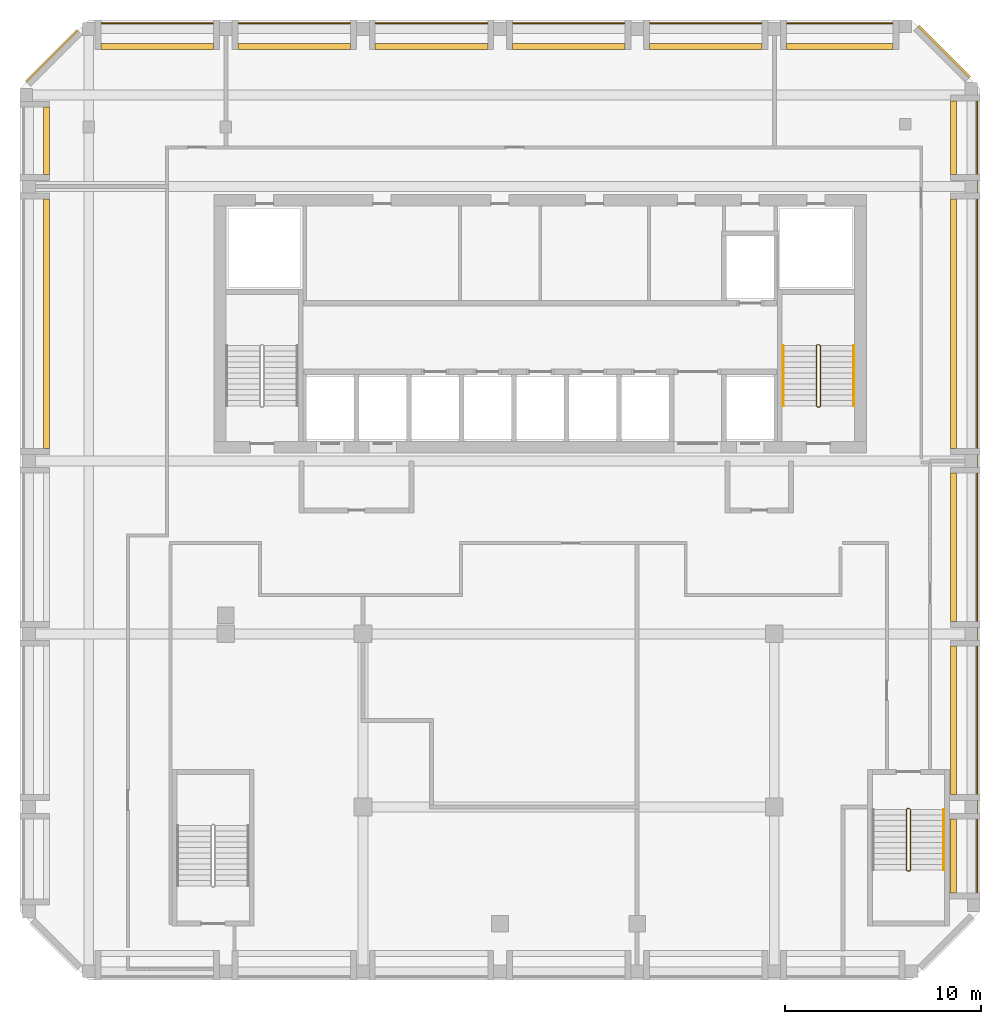
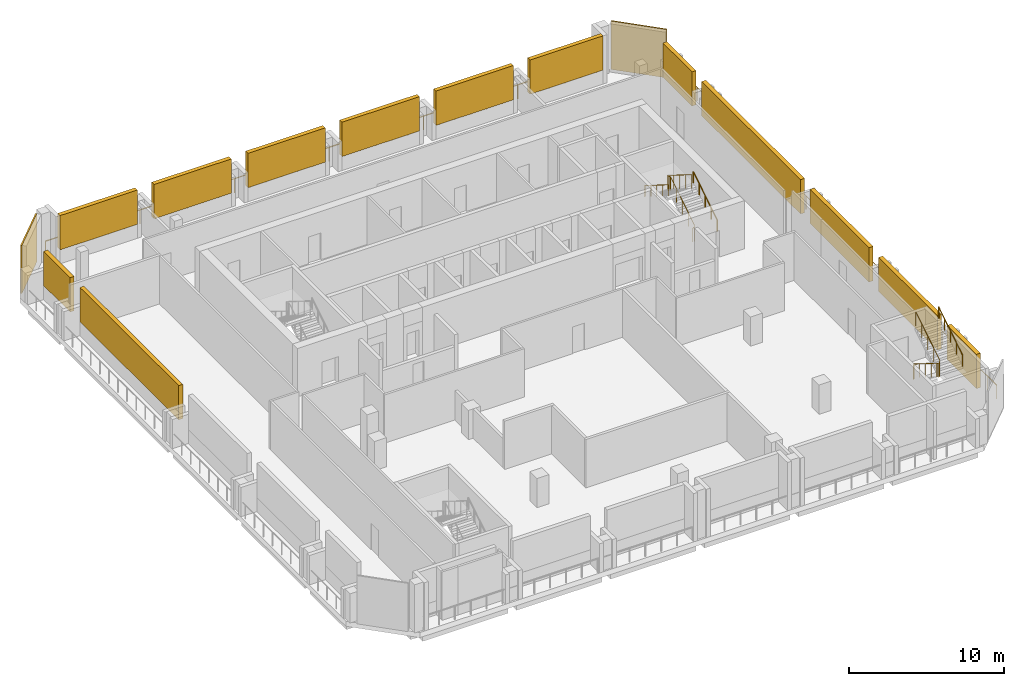
# One storey, part 7 of 7: 15 shading devices, 7 railings.
"""IFC4 building model written with IfcOpenShell, lengths in metres."""

from ifc_helpers import new_model, si_unit, direction, frame, origin, origin_2d, place, context, subcontext, project, spatial, rectangle, circle, extrude, source, transform, mapped, material, layer, layer_set, type_object, element, save


model = new_model("IFC4")

# Units and contexts
model_context = context("Model", 3, precision=1e-05, world=origin(), true_north=direction((0.0, 1.0)))
body_context = subcontext(model_context, "Body", "Model", "MODEL_VIEW")
ifc_project = project(units=[si_unit("LENGTHUNIT", "METRE"), si_unit("AREAUNIT", "SQUARE_METRE"), si_unit("VOLUMEUNIT", "CUBIC_METRE"), si_unit("PLANEANGLEUNIT", "RADIAN"), si_unit("MASSUNIT", "GRAM", prefix="KILO")], contexts=[model_context])

# Site, building, storey
site_placement = place(None, origin())
site = spatial("IfcSite", under=ifc_project, at=site_placement, CompositionType="ELEMENT")
building_placement = place(site_placement, origin())
building = spatial("IfcBuilding", under=site, at=building_placement, Name="Kilnfold Tower and Market Hall", CompositionType="ELEMENT")
storey_placement = place(building_placement, frame((0.0, 0.0, 290.800048828125)))
storey = spatial("IfcBuildingStorey", under=building, at=storey_placement, Name="L72 Plant Transfer Level", CompositionType="ELEMENT", Elevation=290.800048828125)

# Railings
ifc_material_1 = material(Name="Stainless steel 316", Category="steel")
railing_type_1 = type_object("IfcRailingType", Name="CORE STAIR GUARD 1100", PredefinedType="GUARDRAIL", material=ifc_material_1)
railing_1_placement = place(storey_placement, frame((15.199951171875, 10.75, 0.0)))
element("IfcRailing", 1, at=railing_1_placement, inside=storey, type_object=railing_type_1, Name="L72 Plant Transfer Level ST2 stair guard 1", PredefinedType="GUARDRAIL", context=body_context, shape_type="SweptSolid", body=[
    extrude(circle(Radius=0.02392578125, at=origin_2d()), frame((0.0, 0.0, 1.076171875), z_axis=(1.0, 0.0, 0.0), x_axis=(0.0, 1.0, 0.0)), (0.0, 0.0, 1.0), 0.10009765625),
    extrude(circle(Radius=0.02392578125, at=origin_2d()), frame((0.10009765625, 0.0, 1.076171875), z_axis=(0.265065253269, 0.265065253269, 0.927081885822), x_axis=(-0.707106781187, 0.707106781187, 0.0)), (0.0, 0.0, 1.0), 0.188720703125),
    extrude(circle(Radius=0.02392578125, at=origin_2d()), frame((0.150146484375, 0.050048828125, 1.2509765625), z_axis=(0.0, 0.848009633417, 0.529980812513), x_axis=(-1.0, 0.0, 0.0)), (0.0, 0.0, 1.0), 3.6318359375),
    extrude(circle(Radius=0.02392578125, at=origin_2d()), frame((0.150146484375, 3.1298828125, 3.17578125), z_axis=(-0.707106781187, 0.707106781187, 0.0), x_axis=(-0.707106781187, -0.707106781187, 0.0)), (0.0, 0.0, 1.0), 0.07080078125),
    extrude(circle(Radius=0.02392578125, at=origin_2d()), frame((0.10009765625, 3.179931640625, 3.17578125), z_axis=(-1.0, 0.0, 0.0), x_axis=(0.0, -1.0, 0.0)), (0.0, 0.0, 1.0), 0.10009765625),
    extrude(circle(Radius=0.02392578125, at=origin_2d()), frame((0.0, 3.179931640625, 3.17578125), z_axis=(-0.265065253269, -0.265065253269, 0.927081885822), x_axis=(0.707106781187, -0.707106781187, 0.0)), (0.0, 0.0, 1.0), 0.188720703125),
    extrude(circle(Radius=0.02392578125, at=origin_2d()), frame((-0.050048828125, 3.1298828125, 3.35107421875), z_axis=(0.0, -0.847979421464, 0.530029150871), x_axis=(1.0, 0.0, 0.0)), (0.0, 0.0, 1.0), 3.632080078125),
    extrude(circle(Radius=0.02099609375, at=origin_2d()), origin(), (0.0, 0.0, 1.0), 1.052001953125),
    extrude(circle(Radius=0.02099609375, at=origin_2d()), frame((0.10009765625, 0.0, 0.0)), (0.0, 0.0, 1.0), 1.052001953125),
    extrude(circle(Radius=0.02099609375, at=origin_2d()), frame((0.150146484375, 0.050048828125, 0.175048828125)), (0.0, 0.0, 1.0), 1.052001953125),
    extrude(circle(Radius=0.02099609375, at=origin_2d()), frame((0.150146484375, 0.820068359375, 0.65625)), (0.0, 0.0, 1.0), 1.052001953125),
    extrude(circle(Radius=0.02099609375, at=origin_2d()), frame((0.150146484375, 1.58984375, 1.137451171875)), (0.0, 0.0, 1.0), 1.052001953125),
    extrude(circle(Radius=0.02099609375, at=origin_2d()), frame((0.150146484375, 2.35986328125, 1.61865234375)), (0.0, 0.0, 1.0), 1.052001953125),
    extrude(circle(Radius=0.02099609375, at=origin_2d()), frame((0.150146484375, 3.1298828125, 2.099853515625)), (0.0, 0.0, 1.0), 1.052001953125),
    extrude(circle(Radius=0.02099609375, at=origin_2d()), frame((0.10009765625, 3.179931640625, 2.099853515625)), (0.0, 0.0, 1.0), 1.052001953125),
    extrude(circle(Radius=0.02099609375, at=origin_2d()), frame((0.0, 3.179931640625, 2.099853515625)), (0.0, 0.0, 1.0), 1.052001953125),
    extrude(circle(Radius=0.02099609375, at=origin_2d()), frame((-0.050048828125, 3.1298828125, 2.27490234375)), (0.0, 0.0, 1.0), 1.052001953125),
    extrude(circle(Radius=0.02099609375, at=origin_2d()), frame((-0.050048828125, 2.35986328125, 2.756103515625)), (0.0, 0.0, 1.0), 1.052001953125),
    extrude(circle(Radius=0.02099609375, at=origin_2d()), frame((-0.050048828125, 1.58984375, 3.2373046875)), (0.0, 0.0, 1.0), 1.052001953125),
    extrude(circle(Radius=0.02099609375, at=origin_2d()), frame((-0.050048828125, 0.820068359375, 3.71875)), (0.0, 0.0, 1.0), 1.052001953125),
    extrude(circle(Radius=0.02099609375, at=origin_2d()), frame((-0.050048828125, 0.050048828125, 4.199951171875)), (0.0, 0.0, 1.0), 1.052001953125),
])
railing_2_placement = place(storey_placement, frame((19.89990234375, -9.75, 0.0)))
element("IfcRailing", 2, at=railing_2_placement, inside=storey, type_object=railing_type_1, Name="L72 Plant Transfer Level ST4 stair guard 1", PredefinedType="GUARDRAIL", context=body_context, shape_type="SweptSolid", body=[
    extrude(circle(Radius=0.02392578125, at=origin_2d()), frame((0.0, 0.0, 1.076171875), z_axis=(-1.0, 0.0, 0.0), x_axis=(0.0, -1.0, 0.0)), (0.0, 0.0, 1.0), 0.099853515625),
    extrude(circle(Radius=0.02392578125, at=origin_2d()), frame((-0.099853515625, 0.0, 1.076171875), z_axis=(-0.265065253269, -0.265065253269, 0.927081885822), x_axis=(0.707106781187, -0.707106781187, 0.0)), (0.0, 0.0, 1.0), 0.188720703125),
    extrude(circle(Radius=0.02392578125, at=origin_2d()), frame((-0.14990234375, -0.050048828125, 1.2509765625), z_axis=(0.0, -0.848009633417, 0.529980812513), x_axis=(1.0, 0.0, 0.0)), (0.0, 0.0, 1.0), 3.6318359375),
    extrude(circle(Radius=0.02392578125, at=origin_2d()), frame((-0.14990234375, -3.1298828125, 3.17578125), z_axis=(0.707106781187, -0.707106781187, 0.0), x_axis=(0.707106781187, 0.707106781187, 0.0)), (0.0, 0.0, 1.0), 0.07080078125),
    extrude(circle(Radius=0.02392578125, at=origin_2d()), frame((-0.099853515625, -3.179931640625, 3.17578125), z_axis=(1.0, 0.0, 0.0), x_axis=(0.0, 1.0, 0.0)), (0.0, 0.0, 1.0), 0.099853515625),
    extrude(circle(Radius=0.02392578125, at=origin_2d()), frame((0.0, -3.179931640625, 3.17578125), z_axis=(0.265065253269, 0.265065253269, 0.927081885822), x_axis=(-0.707106781187, 0.707106781187, 0.0)), (0.0, 0.0, 1.0), 0.188720703125),
    extrude(circle(Radius=0.02392578125, at=origin_2d()), frame((0.050048828125, -3.1298828125, 3.35107421875), z_axis=(0.0, 0.847979421464, 0.530029150871), x_axis=(-1.0, 0.0, 0.0)), (0.0, 0.0, 1.0), 3.632080078125),
    extrude(circle(Radius=0.02099609375, at=origin_2d()), origin(), (0.0, 0.0, 1.0), 1.052001953125),
    extrude(circle(Radius=0.02099609375, at=origin_2d()), frame((-0.099853515625, 0.0, 0.0)), (0.0, 0.0, 1.0), 1.052001953125),
    extrude(circle(Radius=0.02099609375, at=origin_2d()), frame((-0.14990234375, -0.050048828125, 0.175048828125)), (0.0, 0.0, 1.0), 1.052001953125),
    extrude(circle(Radius=0.02099609375, at=origin_2d()), frame((-0.14990234375, -0.820068359375, 0.65625)), (0.0, 0.0, 1.0), 1.052001953125),
    extrude(circle(Radius=0.02099609375, at=origin_2d()), frame((-0.14990234375, -1.58984375, 1.137451171875)), (0.0, 0.0, 1.0), 1.052001953125),
    extrude(circle(Radius=0.02099609375, at=origin_2d()), frame((-0.14990234375, -2.35986328125, 1.61865234375)), (0.0, 0.0, 1.0), 1.052001953125),
    extrude(circle(Radius=0.02099609375, at=origin_2d()), frame((-0.14990234375, -3.1298828125, 2.099853515625)), (0.0, 0.0, 1.0), 1.052001953125),
    extrude(circle(Radius=0.02099609375, at=origin_2d()), frame((-0.099853515625, -3.179931640625, 2.099853515625)), (0.0, 0.0, 1.0), 1.052001953125),
    extrude(circle(Radius=0.02099609375, at=origin_2d()), frame((0.0, -3.179931640625, 2.099853515625)), (0.0, 0.0, 1.0), 1.052001953125),
    extrude(circle(Radius=0.02099609375, at=origin_2d()), frame((0.050048828125, -3.1298828125, 2.27490234375)), (0.0, 0.0, 1.0), 1.052001953125),
    extrude(circle(Radius=0.02099609375, at=origin_2d()), frame((0.050048828125, -2.35986328125, 2.756103515625)), (0.0, 0.0, 1.0), 1.052001953125),
    extrude(circle(Radius=0.02099609375, at=origin_2d()), frame((0.050048828125, -1.58984375, 3.2373046875)), (0.0, 0.0, 1.0), 1.052001953125),
    extrude(circle(Radius=0.02099609375, at=origin_2d()), frame((0.050048828125, -0.820068359375, 3.71875)), (0.0, 0.0, 1.0), 1.052001953125),
    extrude(circle(Radius=0.02099609375, at=origin_2d()), frame((0.050048828125, -0.050048828125, 4.199951171875)), (0.0, 0.0, 1.0), 1.052001953125),
])
ifc_material_2 = material(Name="Stainless steel 316", Category="steel")
railing_type_2 = type_object("IfcRailingType", Name="CORE STAIR HANDRAIL 900", PredefinedType="HANDRAIL", material=ifc_material_2)
railing_3_placement = place(storey_placement, frame((17.050048828125, 10.800048828125, 0.175048828125)))
element("IfcRailing", 3, at=railing_3_placement, inside=storey, type_object=railing_type_2, Name="L72 Plant Transfer Level ST2 stair handrail 1", PredefinedType="HANDRAIL", context=body_context, shape_type="SweptSolid", body=[
    extrude(circle(Radius=0.02392578125, at=origin_2d()), frame((0.0, 0.0, 0.8759765625), z_axis=(0.0, 0.848009633417, 0.529980812513), x_axis=(-1.0, 0.0, 0.0)), (0.0, 0.0, 1.0), 3.6318359375),
    extrude(circle(Radius=0.02099609375, at=origin_2d()), origin(), (0.0, 0.0, 1.0), 0.851806640625),
    extrude(circle(Radius=0.02099609375, at=origin_2d()), frame((0.0, 0.77001953125, 0.481201171875)), (0.0, 0.0, 1.0), 0.851806640625),
    extrude(circle(Radius=0.02099609375, at=origin_2d()), frame((0.0, 1.5400390625, 0.96240234375)), (0.0, 0.0, 1.0), 0.851806640625),
    extrude(circle(Radius=0.02099609375, at=origin_2d()), frame((0.0, 2.309814453125, 1.443603515625)), (0.0, 0.0, 1.0), 0.851806640625),
    extrude(circle(Radius=0.02099609375, at=origin_2d()), frame((0.0, 3.079833984375, 1.9248046875)), (0.0, 0.0, 1.0), 0.851806640625),
])
railing_4_placement = place(storey_placement, frame((13.449951171875, 13.8798828125, 2.27490234375)))
element("IfcRailing", 4, at=railing_4_placement, inside=storey, type_object=railing_type_2, Name="L72 Plant Transfer Level ST2 stair handrail 2", PredefinedType="HANDRAIL", context=body_context, shape_type="SweptSolid", body=[
    extrude(circle(Radius=0.02392578125, at=origin_2d()), frame((0.0, 0.0, 0.8759765625), z_axis=(0.0, -0.847979421464, 0.530029150871), x_axis=(1.0, 0.0, 0.0)), (0.0, 0.0, 1.0), 3.632080078125),
    extrude(circle(Radius=0.02099609375, at=origin_2d()), origin(), (0.0, 0.0, 1.0), 0.851806640625),
    extrude(circle(Radius=0.02099609375, at=origin_2d()), frame((0.0, -0.77001953125, 0.481201171875)), (0.0, 0.0, 1.0), 0.851806640625),
    extrude(circle(Radius=0.02099609375, at=origin_2d()), frame((0.0, -1.5400390625, 0.96240234375)), (0.0, 0.0, 1.0), 0.851806640625),
    extrude(circle(Radius=0.02099609375, at=origin_2d()), frame((0.0, -2.309814453125, 1.44384765625)), (0.0, 0.0, 1.0), 0.851806640625),
    extrude(circle(Radius=0.02099609375, at=origin_2d()), frame((0.0, -3.079833984375, 1.925048828125)), (0.0, 0.0, 1.0), 0.851806640625),
])
railing_5_placement = place(storey_placement, frame((21.64990234375, -12.8798828125, 2.27490234375)))
element("IfcRailing", 5, at=railing_5_placement, inside=storey, type_object=railing_type_2, Name="L72 Plant Transfer Level ST4 stair handrail 2", PredefinedType="HANDRAIL", context=body_context, shape_type="SweptSolid", body=[
    extrude(circle(Radius=0.02392578125, at=origin_2d()), frame((0.0, 0.0, 0.8759765625), z_axis=(0.0, 0.847979421464, 0.530029150871), x_axis=(-1.0, 0.0, 0.0)), (0.0, 0.0, 1.0), 3.632080078125),
    extrude(circle(Radius=0.02099609375, at=origin_2d()), origin(), (0.0, 0.0, 1.0), 0.851806640625),
    extrude(circle(Radius=0.02099609375, at=origin_2d()), frame((0.0, 0.77001953125, 0.481201171875)), (0.0, 0.0, 1.0), 0.851806640625),
    extrude(circle(Radius=0.02099609375, at=origin_2d()), frame((0.0, 1.5400390625, 0.96240234375)), (0.0, 0.0, 1.0), 0.851806640625),
    extrude(circle(Radius=0.02099609375, at=origin_2d()), frame((0.0, 2.309814453125, 1.44384765625)), (0.0, 0.0, 1.0), 0.851806640625),
    extrude(circle(Radius=0.02099609375, at=origin_2d()), frame((0.0, 3.079833984375, 1.925048828125)), (0.0, 0.0, 1.0), 0.851806640625),
])
ifc_material_3 = material(Name="Stainless steel and laminated glass", Category="steel")
railing_type_3 = type_object("IfcRailingType", Name="GUARD 1100", PredefinedType="GUARDRAIL", material=ifc_material_3)
railing_6_placement = place(storey_placement, frame((23.35009765625, -14.356689453125, 0.0)))
element("IfcRailing", 6, at=railing_6_placement, inside=storey, type_object=railing_type_3, Name="Guard plant edge E L72", PredefinedType="GUARDRAIL", context=body_context, shape_type="SweptSolid", body=[
    extrude(circle(Radius=0.02490234375, at=origin_2d()), frame((0.0, 0.0, 1.0751953125), z_axis=(0.0, 1.0, 0.0), x_axis=(-1.0, 0.0, 0.0)), (0.0, 0.0, 1.0), 41.03173828125),
    extrude(circle(Radius=0.02490234375, at=origin_2d()), origin(), (0.0, 0.0, 1.0), 1.050048828125),
    extrude(circle(Radius=0.02490234375, at=origin_2d()), frame((0.0, 1.17236328125, 0.0)), (0.0, 0.0, 1.0), 1.050048828125),
    extrude(circle(Radius=0.02490234375, at=origin_2d()), frame((0.0, 2.3447265625, 0.0)), (0.0, 0.0, 1.0), 1.050048828125),
    extrude(circle(Radius=0.02490234375, at=origin_2d()), frame((0.0, 3.51708984375, 0.0)), (0.0, 0.0, 1.0), 1.050048828125),
    extrude(circle(Radius=0.02490234375, at=origin_2d()), frame((0.0, 4.689453125, 0.0)), (0.0, 0.0, 1.0), 1.050048828125),
    extrude(circle(Radius=0.02490234375, at=origin_2d()), frame((0.0, 5.861572265625, 0.0)), (0.0, 0.0, 1.0), 1.050048828125),
    extrude(circle(Radius=0.02490234375, at=origin_2d()), frame((0.0, 7.033935546875, 0.0)), (0.0, 0.0, 1.0), 1.050048828125),
    extrude(circle(Radius=0.02490234375, at=origin_2d()), frame((0.0, 8.206298828125, 0.0)), (0.0, 0.0, 1.0), 1.050048828125),
    extrude(circle(Radius=0.02490234375, at=origin_2d()), frame((0.0, 9.378662109375, 0.0)), (0.0, 0.0, 1.0), 1.050048828125),
    extrude(circle(Radius=0.02490234375, at=origin_2d()), frame((0.0, 10.551025390625, 0.0)), (0.0, 0.0, 1.0), 1.050048828125),
    extrude(circle(Radius=0.02490234375, at=origin_2d()), frame((0.0, 11.723388671875, 0.0)), (0.0, 0.0, 1.0), 1.050048828125),
    extrude(circle(Radius=0.02490234375, at=origin_2d()), frame((0.0, 12.895751953125, 0.0)), (0.0, 0.0, 1.0), 1.050048828125),
    extrude(circle(Radius=0.02490234375, at=origin_2d()), frame((0.0, 14.068115234375, 0.0)), (0.0, 0.0, 1.0), 1.050048828125),
    extrude(circle(Radius=0.02490234375, at=origin_2d()), frame((0.0, 15.240478515625, 0.0)), (0.0, 0.0, 1.0), 1.050048828125),
    extrude(circle(Radius=0.02490234375, at=origin_2d()), frame((0.0, 16.41259765625, 0.0)), (0.0, 0.0, 1.0), 1.050048828125),
    extrude(circle(Radius=0.02490234375, at=origin_2d()), frame((0.0, 17.5849609375, 0.0)), (0.0, 0.0, 1.0), 1.050048828125),
    extrude(circle(Radius=0.02490234375, at=origin_2d()), frame((0.0, 18.75732421875, 0.0)), (0.0, 0.0, 1.0), 1.050048828125),
    extrude(circle(Radius=0.02490234375, at=origin_2d()), frame((0.0, 19.9296875, 0.0)), (0.0, 0.0, 1.0), 1.050048828125),
    extrude(circle(Radius=0.02490234375, at=origin_2d()), frame((0.0, 21.10205078125, 0.0)), (0.0, 0.0, 1.0), 1.050048828125),
    extrude(circle(Radius=0.02490234375, at=origin_2d()), frame((0.0, 22.2744140625, 0.0)), (0.0, 0.0, 1.0), 1.050048828125),
    extrude(circle(Radius=0.02490234375, at=origin_2d()), frame((0.0, 23.44677734375, 0.0)), (0.0, 0.0, 1.0), 1.050048828125),
    extrude(circle(Radius=0.02490234375, at=origin_2d()), frame((0.0, 24.619140625, 0.0)), (0.0, 0.0, 1.0), 1.050048828125),
    extrude(circle(Radius=0.02490234375, at=origin_2d()), frame((0.0, 25.791259765625, 0.0)), (0.0, 0.0, 1.0), 1.050048828125),
    extrude(circle(Radius=0.02490234375, at=origin_2d()), frame((0.0, 26.963623046875, 0.0)), (0.0, 0.0, 1.0), 1.050048828125),
    extrude(circle(Radius=0.02490234375, at=origin_2d()), frame((0.0, 28.135986328125, 0.0)), (0.0, 0.0, 1.0), 1.050048828125),
    extrude(circle(Radius=0.02490234375, at=origin_2d()), frame((0.0, 29.308349609375, 0.0)), (0.0, 0.0, 1.0), 1.050048828125),
    extrude(circle(Radius=0.02490234375, at=origin_2d()), frame((0.0, 30.480712890625, 0.0)), (0.0, 0.0, 1.0), 1.050048828125),
    extrude(circle(Radius=0.02490234375, at=origin_2d()), frame((0.0, 31.653076171875, 0.0)), (0.0, 0.0, 1.0), 1.050048828125),
    extrude(circle(Radius=0.02490234375, at=origin_2d()), frame((0.0, 32.825439453125, 0.0)), (0.0, 0.0, 1.0), 1.050048828125),
    extrude(circle(Radius=0.02490234375, at=origin_2d()), frame((0.0, 33.997802734375, 0.0)), (0.0, 0.0, 1.0), 1.050048828125),
    extrude(circle(Radius=0.02490234375, at=origin_2d()), frame((0.0, 35.170166015625, 0.0)), (0.0, 0.0, 1.0), 1.050048828125),
    extrude(circle(Radius=0.02490234375, at=origin_2d()), frame((0.0, 36.34228515625, 0.0)), (0.0, 0.0, 1.0), 1.050048828125),
    extrude(circle(Radius=0.02490234375, at=origin_2d()), frame((0.0, 37.5146484375, 0.0)), (0.0, 0.0, 1.0), 1.050048828125),
    extrude(circle(Radius=0.02490234375, at=origin_2d()), frame((0.0, 38.68701171875, 0.0)), (0.0, 0.0, 1.0), 1.050048828125),
    extrude(circle(Radius=0.02490234375, at=origin_2d()), frame((0.0, 39.859375, 0.0)), (0.0, 0.0, 1.0), 1.050048828125),
    extrude(circle(Radius=0.02490234375, at=origin_2d()), frame((0.0, 41.03173828125, 0.0)), (0.0, 0.0, 1.0), 1.050048828125),
])
railing_7_placement = place(storey_placement, frame((19.356689453125, 30.35009765625, 0.0)))
element("IfcRailing", 7, at=railing_7_placement, inside=storey, type_object=railing_type_3, Name="Guard plant edge N L72", PredefinedType="GUARDRAIL", context=body_context, shape_type="SweptSolid", body=[
    extrude(circle(Radius=0.02490234375, at=origin_2d()), frame((0.0, 0.0, 1.0751953125), z_axis=(-1.0, 0.0, 0.0), x_axis=(0.0, -1.0, 0.0)), (0.0, 0.0, 1.0), 41.03173828125),
    extrude(circle(Radius=0.02490234375, at=origin_2d()), origin(), (0.0, 0.0, 1.0), 1.050048828125),
    extrude(circle(Radius=0.02490234375, at=origin_2d()), frame((-1.17236328125, 0.0, 0.0)), (0.0, 0.0, 1.0), 1.050048828125),
    extrude(circle(Radius=0.02490234375, at=origin_2d()), frame((-2.3447265625, 0.0, 0.0)), (0.0, 0.0, 1.0), 1.050048828125),
    extrude(circle(Radius=0.02490234375, at=origin_2d()), frame((-3.51708984375, 0.0, 0.0)), (0.0, 0.0, 1.0), 1.050048828125),
    extrude(circle(Radius=0.02490234375, at=origin_2d()), frame((-4.689453125, 0.0, 0.0)), (0.0, 0.0, 1.0), 1.050048828125),
    extrude(circle(Radius=0.02490234375, at=origin_2d()), frame((-5.861572265625, 0.0, 0.0)), (0.0, 0.0, 1.0), 1.050048828125),
    extrude(circle(Radius=0.02490234375, at=origin_2d()), frame((-7.033935546875, 0.0, 0.0)), (0.0, 0.0, 1.0), 1.050048828125),
    extrude(circle(Radius=0.02490234375, at=origin_2d()), frame((-8.206298828125, 0.0, 0.0)), (0.0, 0.0, 1.0), 1.050048828125),
    extrude(circle(Radius=0.02490234375, at=origin_2d()), frame((-9.378662109375, 0.0, 0.0)), (0.0, 0.0, 1.0), 1.050048828125),
    extrude(circle(Radius=0.02490234375, at=origin_2d()), frame((-10.551025390625, 0.0, 0.0)), (0.0, 0.0, 1.0), 1.050048828125),
    extrude(circle(Radius=0.02490234375, at=origin_2d()), frame((-11.723388671875, 0.0, 0.0)), (0.0, 0.0, 1.0), 1.050048828125),
    extrude(circle(Radius=0.02490234375, at=origin_2d()), frame((-12.895751953125, 0.0, 0.0)), (0.0, 0.0, 1.0), 1.050048828125),
    extrude(circle(Radius=0.02490234375, at=origin_2d()), frame((-14.068115234375, 0.0, 0.0)), (0.0, 0.0, 1.0), 1.050048828125),
    extrude(circle(Radius=0.02490234375, at=origin_2d()), frame((-15.240478515625, 0.0, 0.0)), (0.0, 0.0, 1.0), 1.050048828125),
    extrude(circle(Radius=0.02490234375, at=origin_2d()), frame((-16.41259765625, 0.0, 0.0)), (0.0, 0.0, 1.0), 1.050048828125),
    extrude(circle(Radius=0.02490234375, at=origin_2d()), frame((-17.5849609375, 0.0, 0.0)), (0.0, 0.0, 1.0), 1.050048828125),
    extrude(circle(Radius=0.02490234375, at=origin_2d()), frame((-18.75732421875, 0.0, 0.0)), (0.0, 0.0, 1.0), 1.050048828125),
    extrude(circle(Radius=0.02490234375, at=origin_2d()), frame((-19.9296875, 0.0, 0.0)), (0.0, 0.0, 1.0), 1.050048828125),
    extrude(circle(Radius=0.02490234375, at=origin_2d()), frame((-21.10205078125, 0.0, 0.0)), (0.0, 0.0, 1.0), 1.050048828125),
    extrude(circle(Radius=0.02490234375, at=origin_2d()), frame((-22.2744140625, 0.0, 0.0)), (0.0, 0.0, 1.0), 1.050048828125),
    extrude(circle(Radius=0.02490234375, at=origin_2d()), frame((-23.44677734375, 0.0, 0.0)), (0.0, 0.0, 1.0), 1.050048828125),
    extrude(circle(Radius=0.02490234375, at=origin_2d()), frame((-24.619140625, 0.0, 0.0)), (0.0, 0.0, 1.0), 1.050048828125),
    extrude(circle(Radius=0.02490234375, at=origin_2d()), frame((-25.791259765625, 0.0, 0.0)), (0.0, 0.0, 1.0), 1.050048828125),
    extrude(circle(Radius=0.02490234375, at=origin_2d()), frame((-26.963623046875, 0.0, 0.0)), (0.0, 0.0, 1.0), 1.050048828125),
    extrude(circle(Radius=0.02490234375, at=origin_2d()), frame((-28.135986328125, 0.0, 0.0)), (0.0, 0.0, 1.0), 1.050048828125),
    extrude(circle(Radius=0.02490234375, at=origin_2d()), frame((-29.308349609375, 0.0, 0.0)), (0.0, 0.0, 1.0), 1.050048828125),
    extrude(circle(Radius=0.02490234375, at=origin_2d()), frame((-30.480712890625, 0.0, 0.0)), (0.0, 0.0, 1.0), 1.050048828125),
    extrude(circle(Radius=0.02490234375, at=origin_2d()), frame((-31.653076171875, 0.0, 0.0)), (0.0, 0.0, 1.0), 1.050048828125),
    extrude(circle(Radius=0.02490234375, at=origin_2d()), frame((-32.825439453125, 0.0, 0.0)), (0.0, 0.0, 1.0), 1.050048828125),
    extrude(circle(Radius=0.02490234375, at=origin_2d()), frame((-33.997802734375, 0.0, 0.0)), (0.0, 0.0, 1.0), 1.050048828125),
    extrude(circle(Radius=0.02490234375, at=origin_2d()), frame((-35.170166015625, 0.0, 0.0)), (0.0, 0.0, 1.0), 1.050048828125),
    extrude(circle(Radius=0.02490234375, at=origin_2d()), frame((-36.34228515625, 0.0, 0.0)), (0.0, 0.0, 1.0), 1.050048828125),
    extrude(circle(Radius=0.02490234375, at=origin_2d()), frame((-37.5146484375, 0.0, 0.0)), (0.0, 0.0, 1.0), 1.050048828125),
    extrude(circle(Radius=0.02490234375, at=origin_2d()), frame((-38.68701171875, 0.0, 0.0)), (0.0, 0.0, 1.0), 1.050048828125),
    extrude(circle(Radius=0.02490234375, at=origin_2d()), frame((-39.859375, 0.0, 0.0)), (0.0, 0.0, 1.0), 1.050048828125),
    extrude(circle(Radius=0.02490234375, at=origin_2d()), frame((-41.03173828125, 0.0, 0.0)), (0.0, 0.0, 1.0), 1.050048828125),
])

# Shading devices
ifc_material_4 = material(Name="Anodised aluminium", Category="aluminium")
shading_device_type_1 = type_object("IfcShadingDeviceType", Name="LOUVRE", PredefinedType="JALOUSIE", material=ifc_material_4)
shared_shape_1 = source(origin(), body_context, "Body", "SweptSolid", [
    extrude(rectangle(XDim=5.75, YDim=0.300048828125, at=origin_2d()), origin(), (0.0, 0.0, 1.0), 2.699951171875),
])
for number, where, z_axis, x_axis, name in (
    (8, (9.5, 29.14990234375, 1.10009765625), (0.0, 0.0, 1.0), (-1.0, 0.0, 0.0), "Plant louvre L72 N"),
    (9, (2.5, 29.14990234375, 1.10009765625), (0.0, 0.0, 1.0), (-1.0, 0.0, 0.0), "Plant louvre L72 N"),
    (10, (-4.5, 29.14990234375, 1.10009765625), (0.0, 0.0, 1.0), (-1.0, 0.0, 0.0), "Plant louvre L72 N"),
    (11, (-11.5, 29.14990234375, 1.10009765625), (0.0, 0.0, 1.0), (-1.0, 0.0, 0.0), "Plant louvre L72 N"),
    (12, (-18.5, 29.14990234375, 1.10009765625), (0.0, 0.0, 1.0), (-1.0, 0.0, 0.0), "Plant louvre L72 N"),
):
    element("IfcShadingDevice", number, at=place(storey_placement, frame(where, z_axis=z_axis, x_axis=x_axis)), inside=storey, type_object=shading_device_type_1, Name=name, ObjectType="LOUVRE", PredefinedType="JALOUSIE", context=body_context, shape_type="MappedRepresentation", body=[
        mapped(shared_shape_1, transform((0.0, 0.0, 0.0))),
    ])
ifc_material_5 = material(Name="Terracotta", Category="masonry")
ifc_layer = layer(ifc_material_5, 0.10009765625)
ifc_layer_set = layer_set([ifc_layer], Name="Terracotta")
shading_device_type_2 = type_object("IfcShadingDeviceType", Name="TERRACOTTA SCREEN 100", PredefinedType="USERDEFINED", material=ifc_layer_set)
shared_shape_2 = source(origin(), body_context, "Body", "SweptSolid", [
    extrude(rectangle(XDim=3.71240234375, YDim=0.10009765625, at=origin_2d()), origin(), (0.0, 0.0, 1.0), 3.800048828125),
])
for number, where, z_axis, x_axis, name in (
    (13, (21.6728515625, 28.897705078125, 0.0), (0.0, 0.0, 1.0), (-0.707106781187, 0.707106781187, 0.0), "Plant screen L72 NE"),
    (14, (-23.897705078125, 28.6728515625, 0.0), (0.0, 0.0, 1.0), (-0.707106781187, -0.707106781187, 0.0), "Plant screen L72 NW"),
):
    element("IfcShadingDevice", number, at=place(storey_placement, frame(where, z_axis=z_axis, x_axis=x_axis)), inside=storey, type_object=shading_device_type_2, Name=name, ObjectType="SCREEN", PredefinedType="USERDEFINED", context=body_context, shape_type="MappedRepresentation", body=[
        mapped(shared_shape_2, transform((0.0, 0.0, 0.0))),
    ])
shared_shape_3 = source(origin(), body_context, "Body", "SweptSolid", [
    extrude(rectangle(XDim=3.76513671875, YDim=0.300048828125, at=origin_2d()), origin(), (0.0, 0.0, 1.0), 2.699951171875),
])
shading_device_1_placement = place(storey_placement, frame((22.14990234375, -12.17431640625, 1.10009765625), z_axis=(0.0, 0.0, 1.0), x_axis=(0.0, 1.0, 0.0)))
element("IfcShadingDevice", 15, at=shading_device_1_placement, inside=storey, type_object=shading_device_type_1, Name="Plant louvre L72 E", ObjectType="LOUVRE", PredefinedType="JALOUSIE", context=body_context, shape_type="MappedRepresentation", body=[
    mapped(shared_shape_3, transform((0.0, 0.0, 0.0))),
])
shared_shape_4 = source(origin(), body_context, "Body", "SweptSolid", [
    extrude(rectangle(XDim=7.58349609375, YDim=0.300048828125, at=origin_2d()), origin(), (0.0, 0.0, 1.0), 2.699951171875),
])
shading_device_2_placement = place(storey_placement, frame((22.14990234375, -5.25, 1.10009765625), z_axis=(0.0, 0.0, 1.0), x_axis=(0.0, 1.0, 0.0)))
element("IfcShadingDevice", 16, at=shading_device_2_placement, inside=storey, type_object=shading_device_type_1, Name="Plant louvre L72 E", ObjectType="LOUVRE", PredefinedType="JALOUSIE", context=body_context, shape_type="MappedRepresentation", body=[
    mapped(shared_shape_4, transform((0.0, 0.0, 0.0))),
])
shared_shape_5 = source(origin(), body_context, "Body", "SweptSolid", [
    extrude(rectangle(XDim=7.583251953125, YDim=0.300048828125, at=origin_2d()), origin(), (0.0, 0.0, 1.0), 2.699951171875),
])
shading_device_3_placement = place(storey_placement, frame((22.14990234375, 3.583251953125, 1.10009765625), z_axis=(0.0, 0.0, 1.0), x_axis=(0.0, 1.0, 0.0)))
element("IfcShadingDevice", 17, at=shading_device_3_placement, inside=storey, type_object=shading_device_type_1, Name="Plant louvre L72 E", ObjectType="LOUVRE", PredefinedType="JALOUSIE", context=body_context, shape_type="MappedRepresentation", body=[
    mapped(shared_shape_5, transform((0.0, 0.0, 0.0))),
])
shared_shape_6 = source(origin(), body_context, "Body", "SweptSolid", [
    extrude(rectangle(XDim=12.75, YDim=0.300048828125, at=origin_2d()), origin(), (0.0, 0.0, 1.0), 2.699951171875),
])
for number, where, z_axis, x_axis, name in (
    (18, (22.14990234375, 15.0, 1.10009765625), (0.0, 0.0, 1.0), (0.0, 1.0, 0.0), "Plant louvre L72 E"),
    (19, (-24.14990234375, 15.0, 1.10009765625), (0.0, 0.0, 1.0), (0.0, -1.0, 0.0), "Plant louvre L72 W"),
):
    element("IfcShadingDevice", number, at=place(storey_placement, frame(where, z_axis=z_axis, x_axis=x_axis)), inside=storey, type_object=shading_device_type_1, Name=name, ObjectType="LOUVRE", PredefinedType="JALOUSIE", context=body_context, shape_type="MappedRepresentation", body=[
        mapped(shared_shape_6, transform((0.0, 0.0, 0.0))),
    ])
shared_shape_7 = source(origin(), body_context, "Body", "SweptSolid", [
    extrude(rectangle(XDim=3.75, YDim=0.300048828125, at=origin_2d()), origin(), (0.0, 0.0, 1.0), 2.699951171875),
])
shading_device_4_placement = place(storey_placement, frame((22.14990234375, 24.5, 1.10009765625), z_axis=(0.0, 0.0, 1.0), x_axis=(0.0, 1.0, 0.0)))
element("IfcShadingDevice", 20, at=shading_device_4_placement, inside=storey, type_object=shading_device_type_1, Name="Plant louvre L72 E", ObjectType="LOUVRE", PredefinedType="JALOUSIE", context=body_context, shape_type="MappedRepresentation", body=[
    mapped(shared_shape_7, transform((0.0, 0.0, 0.0))),
])
shared_shape_8 = source(origin(), body_context, "Body", "SweptSolid", [
    extrude(rectangle(XDim=5.431884765625, YDim=0.300048828125, at=origin_2d()), origin(), (0.0, 0.0, 1.0), 2.699951171875),
])
shading_device_5_placement = place(storey_placement, frame((16.3408203125, 29.14990234375, 1.10009765625), z_axis=(0.0, 0.0, 1.0), x_axis=(-1.0, 0.0, 0.0)))
element("IfcShadingDevice", 21, at=shading_device_5_placement, inside=storey, type_object=shading_device_type_1, Name="Plant louvre L72 N", ObjectType="LOUVRE", PredefinedType="JALOUSIE", context=body_context, shape_type="MappedRepresentation", body=[
    mapped(shared_shape_8, transform((0.0, 0.0, 0.0))),
])
shared_shape_9 = source(origin(), body_context, "Body", "SweptSolid", [
    extrude(rectangle(XDim=3.431884765625, YDim=0.300048828125, at=origin_2d()), origin(), (0.0, 0.0, 1.0), 2.699951171875),
])
shading_device_6_placement = place(storey_placement, frame((-24.14990234375, 24.3408203125, 1.10009765625), z_axis=(0.0, 0.0, 1.0), x_axis=(0.0, -1.0, 0.0)))
element("IfcShadingDevice", 22, at=shading_device_6_placement, inside=storey, type_object=shading_device_type_1, Name="Plant louvre L72 W", ObjectType="LOUVRE", PredefinedType="JALOUSIE", context=body_context, shape_type="MappedRepresentation", body=[
    mapped(shared_shape_9, transform((0.0, 0.0, 0.0))),
])

save(model, "model.ifc")
